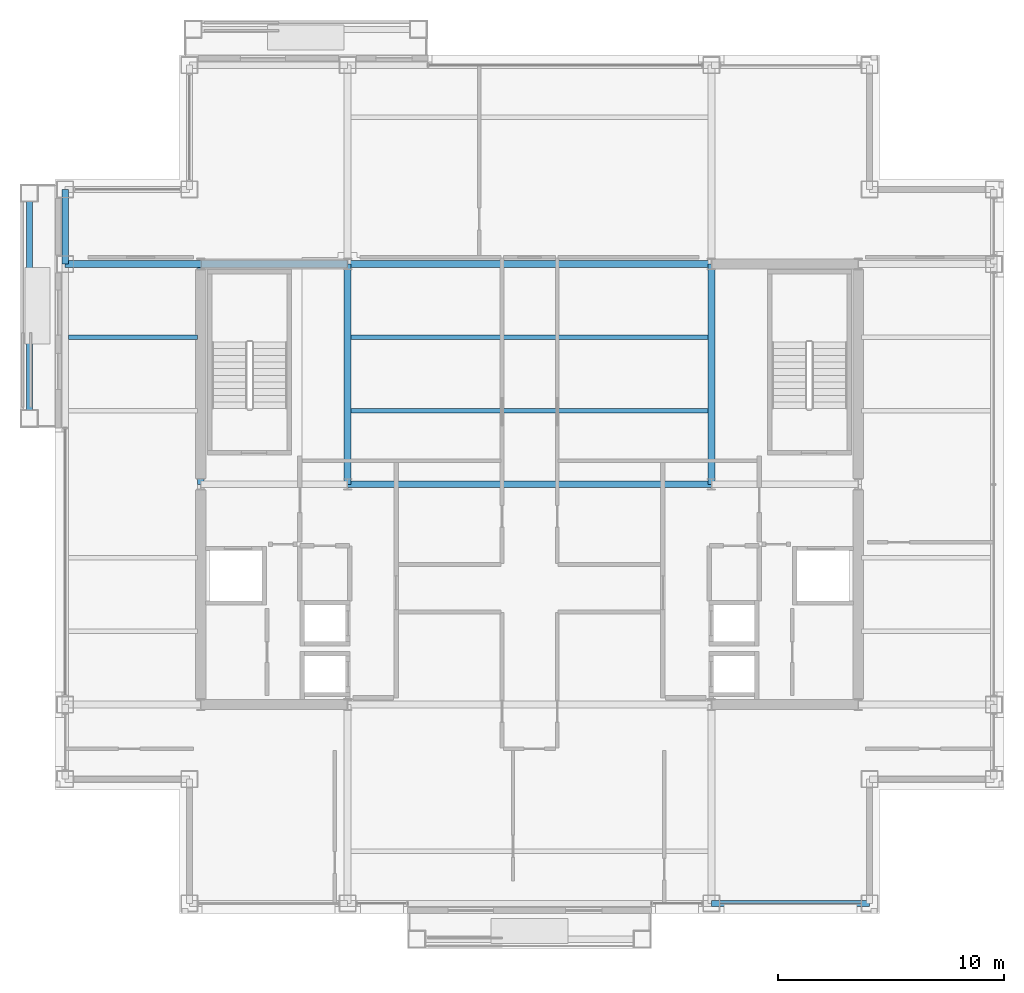
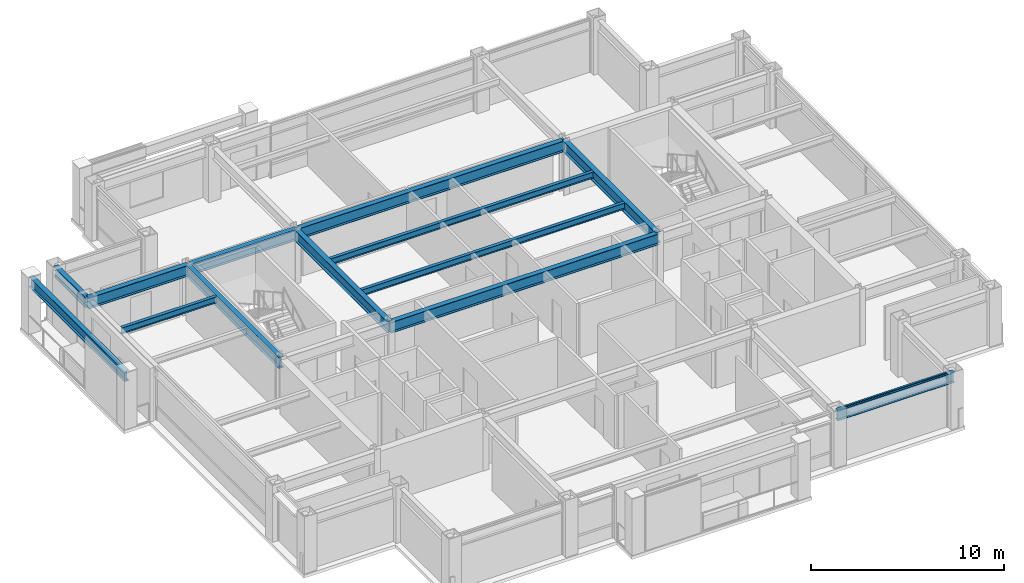
# One storey, part 10 of 27: 13 beams, 1 member, 1 element without a shape of its own.
"""IFC4 building model written with IfcOpenShell, lengths in metres."""

from ifc_helpers import new_model, si_unit, direction, frame, origin, origin_2d, place, context, subcontext, project, spatial, hollow_rectangle, i_section, extrude, material, layer, layer_set, material_profile, profile_set, type_object, element, aggregate, save


model = new_model("IFC4")

# Units and contexts
model_context = context("Model", 3, precision=1e-05, world=origin(), true_north=direction((0.0, 1.0)))
body_context = subcontext(model_context, "Body", "Model", "MODEL_VIEW")
ifc_project = project(units=[si_unit("LENGTHUNIT", "METRE"), si_unit("AREAUNIT", "SQUARE_METRE"), si_unit("VOLUMEUNIT", "CUBIC_METRE"), si_unit("PLANEANGLEUNIT", "RADIAN"), si_unit("MASSUNIT", "GRAM", prefix="KILO")], contexts=[model_context])

# Site, building, storey
site_placement = place(None, origin())
site = spatial("IfcSite", under=ifc_project, at=site_placement, CompositionType="ELEMENT")
building_placement = place(site_placement, origin())
building = spatial("IfcBuilding", under=site, at=building_placement, Name="Brelmoor Portico Tower", CompositionType="ELEMENT")
storey_placement = place(building_placement, frame((0.0, 0.0, 158.699951171875)))
storey = spatial("IfcBuildingStorey", under=building, at=storey_placement, Name="L41", CompositionType="ELEMENT", Elevation=158.699951171875)

# Beams
ifc_material_1 = material(Name="Steel Q355B", Category="steel")
ifc_material_profile_1 = material_profile(ifc_material_1, i_section(OverallWidth=0.199951171875, OverallDepth=0.39990234375, WebThickness=0.008056640625, FlangeThickness=0.012939453125, at=origin_2d()), Name="HN 400x200x8x13")
ifc_profile_set_1 = profile_set([ifc_material_profile_1], Name="Steel Q355B")
beam_type_1 = type_object("IfcBeamType", Name="BM-JS-400", PredefinedType="JOIST", material=ifc_profile_set_1)
for number, where, z_axis, x_axis, name in (
    (1, (-7.89990234375, 3.25, 3.199951171875), (1.0, 0.0, 0.0), (0.0, 1.0, 0.0), "L41 Secondary Composite Joist JS-C02"),
    (2, (-7.89990234375, 6.5, 3.199951171875), (1.0, 0.0, 0.0), (0.0, 1.0, 0.0), "L41 Secondary Composite Joist JS-C03"),
):
    element("IfcBeam", number, at=place(storey_placement, frame(where, z_axis=z_axis, x_axis=x_axis)), inside=storey, type_object=beam_type_1, Name=name, PredefinedType="JOIST", context=body_context, shape_type="SweptSolid", body=[
        extrude(i_section(OverallWidth=0.199951171875, OverallDepth=0.39990234375, WebThickness=0.008056640625, FlangeThickness=0.012939453125, at=origin_2d()), origin(), (0.0, 0.0, 1.0), 15.7998046875),
    ])
beam_1_placement = place(storey_placement, frame((-20.409912109375, 6.5, 3.199951171875), z_axis=(1.0, 0.0, 0.0), x_axis=(0.0, 1.0, 0.0)))
element("IfcBeam", 3, at=beam_1_placement, inside=storey, type_object=beam_type_1, Name="L41 Secondary Wing Joist JS-W08", PredefinedType="JOIST", context=body_context, shape_type="SweptSolid", body=[
    extrude(i_section(OverallWidth=0.199951171875, OverallDepth=0.39990234375, WebThickness=0.008056640625, FlangeThickness=0.012939453125, at=origin_2d()), origin(), (0.0, 0.0, 1.0), 5.7099609375),
])
ifc_material_profile_2 = material_profile(ifc_material_1, i_section(OverallWidth=0.300048828125, OverallDepth=0.699951171875, WebThickness=0.012939453125, FlangeThickness=0.02392578125, at=origin_2d()), Name="HN 700x300x13x24")
ifc_profile_set_2 = profile_set([ifc_material_profile_2], Name="Steel Q355B")
beam_type_2 = type_object("IfcBeamType", Name="BM-PG-700", PredefinedType="BEAM", material=ifc_profile_set_2)
for number, where, z_axis, x_axis, name in (
    (4, (-14.550048828125, 0.0, 3.050048828125), (0.0, 1.0, 0.0), (-1.0, 0.0, 0.0), "L41 Primary Floor Girder PG-02"),
    (5, (-8.050048828125, 0.0, 3.050048828125), (0.0, 1.0, 0.0), (-1.0, 0.0, 0.0), "L41 Primary Floor Girder PG-04"),
    (6, (8.050048828125, 0.0, 3.050048828125), (0.0, 1.0, 0.0), (-1.0, 0.0, 0.0), "L41 Primary Floor Girder PG-07"),
):
    element("IfcBeam", number, at=place(storey_placement, frame(where, z_axis=z_axis, x_axis=x_axis)), inside=storey, type_object=beam_type_2, Name=name, PredefinedType="BEAM", context=body_context, shape_type="SweptSolid", body=[
        extrude(i_section(OverallWidth=0.300048828125, OverallDepth=0.699951171875, WebThickness=0.012939453125, FlangeThickness=0.02392578125, at=origin_2d()), origin(), (0.0, 0.0, 1.0), 9.75),
    ])
beam_2_placement = place(storey_placement, frame((-8.050048828125, 0.0, 3.050048828125), z_axis=(1.0, 0.0, 0.0), x_axis=(0.0, 1.0, 0.0)))
element("IfcBeam", 7, at=beam_2_placement, inside=storey, type_object=beam_type_2, Name="L41 Primary Floor Girder PG-17", PredefinedType="BEAM", context=body_context, shape_type="SweptSolid", body=[
    extrude(i_section(OverallWidth=0.300048828125, OverallDepth=0.699951171875, WebThickness=0.012939453125, FlangeThickness=0.02392578125, at=origin_2d()), origin(), (0.0, 0.0, 1.0), 16.10009765625),
])
beam_3_placement = place(storey_placement, frame((-20.550048828125, 9.75, 3.050048828125), z_axis=(1.0, 0.0, 0.0), x_axis=(0.0, 1.0, 0.0)))
element("IfcBeam", 8, at=beam_3_placement, inside=storey, type_object=beam_type_2, Name="L41 Primary Floor Girder PG-19", PredefinedType="BEAM", context=body_context, shape_type="SweptSolid", body=[
    extrude(i_section(OverallWidth=0.300048828125, OverallDepth=0.699951171875, WebThickness=0.012939453125, FlangeThickness=0.02392578125, at=origin_2d()), origin(), (0.0, 0.0, 1.0), 6.0),
])
beam_4_placement = place(storey_placement, frame((-14.550048828125, 9.75, 3.050048828125), z_axis=(1.0, 0.0, 0.0), x_axis=(0.0, 1.0, 0.0)))
element("IfcBeam", 9, at=beam_4_placement, inside=storey, type_object=beam_type_2, Name="L41 Primary Floor Girder PG-20", PredefinedType="BEAM", context=body_context, shape_type="SweptSolid", body=[
    extrude(i_section(OverallWidth=0.300048828125, OverallDepth=0.699951171875, WebThickness=0.012939453125, FlangeThickness=0.02392578125, at=origin_2d()), origin(), (0.0, 0.0, 1.0), 6.5),
])
beam_5_placement = place(storey_placement, frame((-8.050048828125, 9.75, 3.050048828125), z_axis=(1.0, 0.0, 0.0), x_axis=(0.0, 1.0, 0.0)))
element("IfcBeam", 10, at=beam_5_placement, inside=storey, type_object=beam_type_2, Name="L41 Primary Floor Girder PG-21", PredefinedType="BEAM", context=body_context, shape_type="SweptSolid", body=[
    extrude(i_section(OverallWidth=0.300048828125, OverallDepth=0.699951171875, WebThickness=0.012939453125, FlangeThickness=0.02392578125, at=origin_2d()), origin(), (0.0, 0.0, 1.0), 16.10009765625),
])
ifc_material_profile_3 = material_profile(ifc_material_1, i_section(OverallWidth=0.280029296875, OverallDepth=0.64990234375, WebThickness=0.012939453125, FlangeThickness=0.02197265625, at=origin_2d()), Name="HN 650x280x13x22")
ifc_profile_set_3 = profile_set([ifc_material_profile_3], Name="Steel Q355B")
beam_type_3 = type_object("IfcBeamType", Name="BM-SP-650", PredefinedType="SPANDREL", material=ifc_profile_set_3)
beam_6_placement = place(storey_placement, frame((8.050048828125, -18.550048828125, 3.074951171875), z_axis=(1.0, 0.0, 0.0), x_axis=(0.0, 1.0, 0.0)))
element("IfcBeam", 11, at=beam_6_placement, inside=storey, type_object=beam_type_3, Name="L41 Perimeter Spandrel Beam SP-03", PredefinedType="SPANDREL", context=body_context, shape_type="SweptSolid", body=[
    extrude(i_section(OverallWidth=0.280029296875, OverallDepth=0.64990234375, WebThickness=0.012939453125, FlangeThickness=0.02197265625, at=origin_2d()), origin(), (0.0, 0.0, 1.0), 7.0),
])
beam_7_placement = place(storey_placement, frame((-20.550048828125, 9.75, 3.074951171875), z_axis=(0.0, 1.0, 0.0), x_axis=(-1.0, 0.0, 0.0)))
element("IfcBeam", 12, at=beam_7_placement, inside=storey, type_object=beam_type_3, Name="L41 Perimeter Spandrel Beam SP-13", PredefinedType="SPANDREL", context=body_context, shape_type="SweptSolid", body=[
    extrude(i_section(OverallWidth=0.280029296875, OverallDepth=0.64990234375, WebThickness=0.012939453125, FlangeThickness=0.02197265625, at=origin_2d()), origin(), (0.0, 0.0, 1.0), 3.300048828125),
])
beam_8_placement = place(storey_placement, frame((-22.1298828125, 2.919921875, 3.074951171875), z_axis=(0.0, 1.0, 0.0), x_axis=(-1.0, 0.0, 0.0)))
element("IfcBeam", 13, at=beam_8_placement, inside=storey, type_object=beam_type_3, Name="L41 Picture-Frame Perimeter Lintel Beam W1", PredefinedType="SPANDREL", context=body_context, shape_type="SweptSolid", body=[
    extrude(i_section(OverallWidth=0.280029296875, OverallDepth=0.64990234375, WebThickness=0.012939453125, FlangeThickness=0.02197265625, at=origin_2d()), origin(), (0.0, 0.0, 1.0), 9.9599609375),
])

# Curtain wall, member
ifc_material_2 = material(Name="Anodised Aluminium Alloy 6063-T6", Category="aluminium")
ifc_layer = layer(ifc_material_2, 0.179931640625)
ifc_layer_set = layer_set([ifc_layer], Name="Anodised Aluminium Alloy 6063-T6")
curtain_wall_type = type_object("IfcCurtainWallType", Name="CW-TOWER-Z3-XB", PredefinedType="NOTDEFINED", material=ifc_layer_set)
curtain_wall_placement = place(storey_placement, origin())
curtain_wall = element("IfcCurtainWall", 14, at=curtain_wall_placement, inside=storey, type_object=curtain_wall_type, Name="L41 Curtain Wall CW-L41-1R-2", PredefinedType="NOTDEFINED")
ifc_material_profile_4 = material_profile(ifc_material_2, hollow_rectangle(XDim=0.06005859375, YDim=0.125, WallThickness=0.00341796875, at=origin_2d()), Name="ALU TRANSOM 60x125")
ifc_profile_set_4 = profile_set([ifc_material_profile_4], Name="Anodised Aluminium Alloy 6063-T6")
member_type = type_object("IfcMemberType", Name="MB-CW-TRAN-125", PredefinedType="USERDEFINED", material=ifc_profile_set_4)
member_placement = place(storey_placement, frame((8.43505859375, -18.550048828125, 3.337646484375), z_axis=(1.0, 0.0, 0.0), x_axis=(0.0, 1.0, 0.0)))
member = element("IfcMember", 15, at=member_placement, type_object=member_type, Name="CW-L41-1R-2 Transom 1-00", ObjectType="TRANSOM", PredefinedType="USERDEFINED", context=body_context, shape_type="SweptSolid", body=[
    extrude(hollow_rectangle(XDim=0.06005859375, YDim=0.125, WallThickness=0.00341796875, at=origin_2d()), origin(), (0.0, 0.0, 1.0), 6.22998046875),
])
aggregate(curtain_wall, [member])

save(model, "model.ifc")
